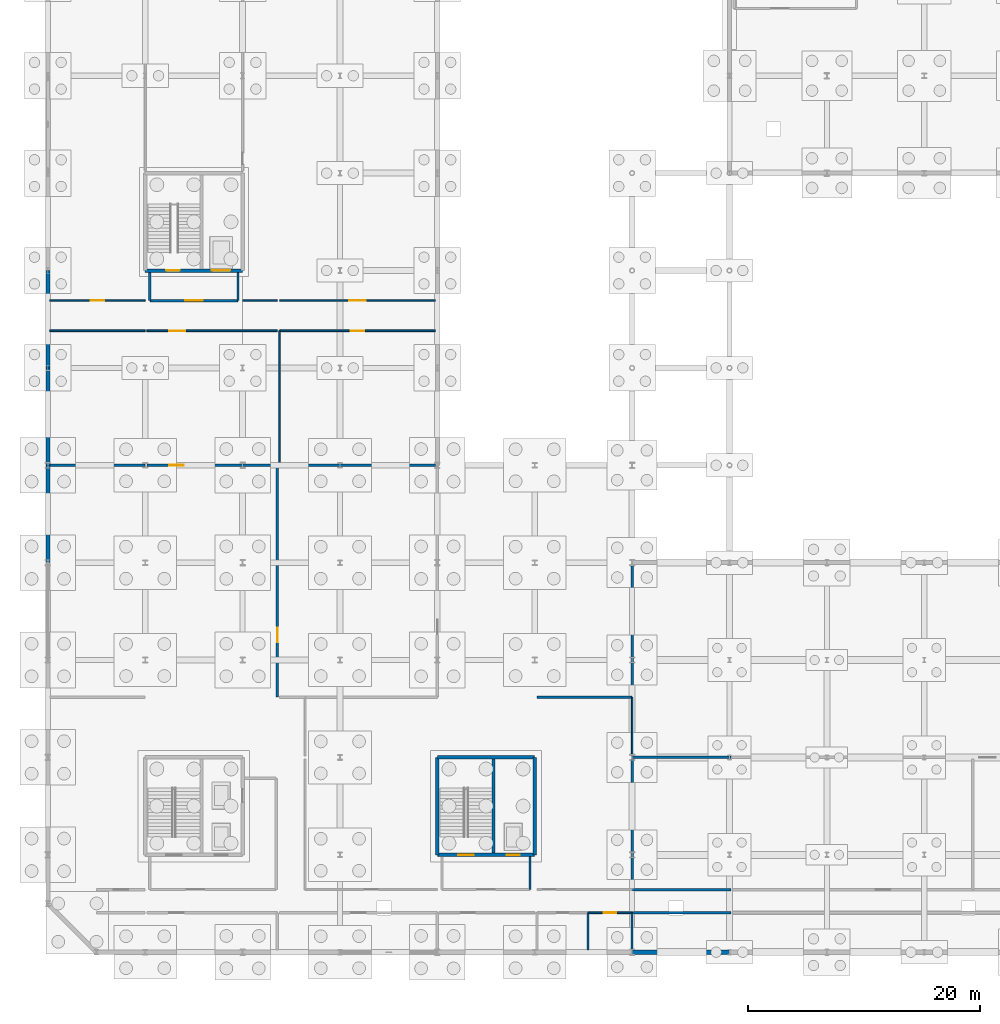
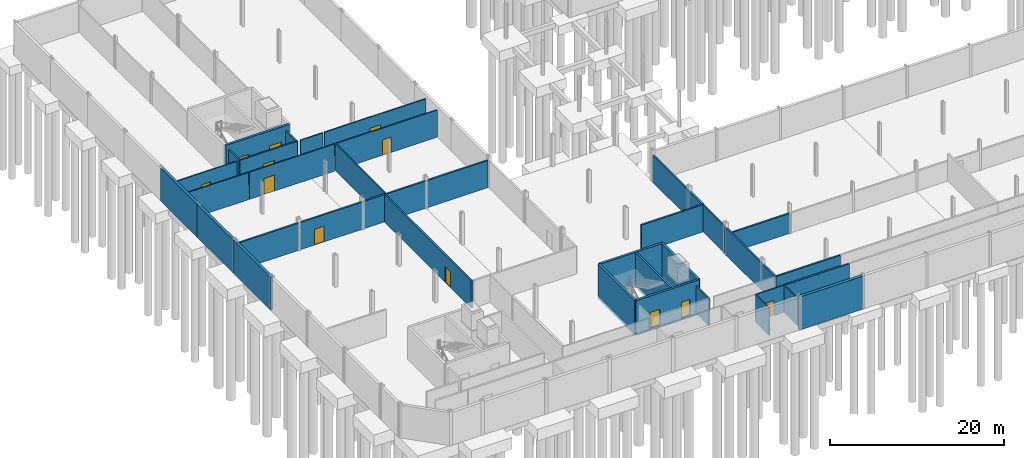
# One storey, part 32 of 51: 35 walls, 12 doors, 12 openings.
"""IFC4 building model written with IfcOpenShell, lengths in metres."""

from ifc_helpers import new_model, si_unit, direction, frame, frame_2d, origin, place, context, subcontext, project, spatial, rectangle, extrude, material, layer, layer_set, type_object, element, fill, save


model = new_model("IFC4")

# Units and contexts
model_context = context("Model", 3, precision=1e-05, world=origin(), true_north=direction((0.0, 1.0)))
body_context = subcontext(model_context, "Body", "Model", "MODEL_VIEW")
ifc_project = project(units=[si_unit("LENGTHUNIT", "METRE"), si_unit("AREAUNIT", "SQUARE_METRE"), si_unit("VOLUMEUNIT", "CUBIC_METRE"), si_unit("PLANEANGLEUNIT", "RADIAN"), si_unit("MASSUNIT", "GRAM", prefix="KILO")], contexts=[model_context])

# Site, building, storey
site_placement = place(None, origin())
site = spatial("IfcSite", under=ifc_project, at=site_placement, CompositionType="ELEMENT")
building_placement = place(site_placement, origin())
building = spatial("IfcBuilding", under=site, at=building_placement, Name="Qalvenar Corner Mobility Hub", CompositionType="ELEMENT")
storey_placement = place(building_placement, frame((0.0, 0.0, -4.5)))
storey = spatial("IfcBuildingStorey", under=building, at=storey_placement, Name="B1", CompositionType="ELEMENT", Elevation=-4.5)

# Wall
ifc_material_1 = material(Name="Concrete C40/50", Category="concrete")
ifc_layer_1 = layer(ifc_material_1, 0.25)
ifc_layer_set_1 = layer_set([ifc_layer_1], Name="Concrete C40/50")
wall_type_1 = type_object("IfcWallType", Name="WL-CORE250", PredefinedType="SHEAR", material=ifc_layer_set_1)
wall_1_placement = place(storey_placement, frame((38.449951171875, 8.550048828125, -0.35009765625), z_axis=(0.0, 0.0, 1.0), x_axis=(0.0, 1.0, 0.0)))
element("IfcWall", 1, at=wall_1_placement, inside=storey, type_object=wall_type_1, Name="Core Divider Wall C2-B1", PredefinedType="SHEAR", context=body_context, shape_type="SweptSolid", body=[
    extrude(rectangle(XDim=8.099853515625, YDim=0.25, at=frame_2d((4.0498046875, 0.0))), origin(), (0.0, 0.0, 1.0), 4.85009765625),
])

# Wall, openings, doors
ifc_layer_2 = layer(ifc_material_1, 0.300048828125)
ifc_layer_set_2 = layer_set([ifc_layer_2], Name="Concrete C40/50")
wall_type_2 = type_object("IfcWallType", Name="WL-CORE300", PredefinedType="SHEAR", material=ifc_layer_set_2)
wall_2_placement = place(storey_placement, frame((33.60009765625, 8.39990234375, -0.35009765625), z_axis=(0.0, 0.0, 1.0), x_axis=(1.0, 0.0, 0.0)))
wall_2 = element("IfcWall", 2, at=wall_2_placement, inside=storey, type_object=wall_type_2, Name="Core Shear Wall C2-B1-S", PredefinedType="SHEAR", context=body_context, shape_type="SweptSolid", body=[
    extrude(rectangle(XDim=8.39990234375, YDim=0.300048828125, at=frame_2d((4.199951171875, 0.0))), origin(), (0.0, 0.0, 1.0), 4.85009765625),
])
opening_1_placement = place(wall_2_placement, frame((1.800048828125, 0.0, 0.35009765625)))
opening_1 = element("IfcOpeningElement", 3, at=opening_1_placement, cuts=wall_2, Name="Opening DR-005", PredefinedType="OPENING", context=body_context, shape_type="SweptSolid", body=[
    extrude(rectangle(XDim=1.35009765625, YDim=2.199951171875, at=frame_2d((0.675048828125, 1.10009765625))), frame((0.0, 0.16015625, 0.0), z_axis=(0.0, -1.0, 0.0), x_axis=(1.0, 0.0, 0.0)), (0.0, 0.0, 1.0), 0.320068359375),
])
opening_2_placement = place(wall_2_placement, frame((6.0, 0.0, 0.35009765625)))
opening_2 = element("IfcOpeningElement", 4, at=opening_2_placement, cuts=wall_2, Name="Opening DR-006", PredefinedType="OPENING", context=body_context, shape_type="SweptSolid", body=[
    extrude(rectangle(XDim=1.10009765625, YDim=2.199951171875, at=frame_2d((0.550048828125, 1.10009765625))), frame((0.0, 0.16015625, 0.0), z_axis=(0.0, -1.0, 0.0), x_axis=(1.0, 0.0, 0.0)), (0.0, 0.0, 1.0), 0.320068359375),
])
ifc_material_2 = material(Name="Stainless Steel Lift Landing Door", Category="steel")
door_type_1 = type_object("IfcDoorType", Name="DR-LIFT-110", OperationType="SLIDING_TO_LEFT", PredefinedType="DOOR", material=ifc_material_2)
door_1_placement = place(opening_2_placement, origin())
door_1 = element("IfcDoor", 5, at=door_1_placement, inside=storey, type_object=door_type_1, Name="DR-006 Lift Landing Door LF2-B1", OperationType="SLIDING_TO_LEFT", OverallHeight=2.199951171875, OverallWidth=1.10009765625, PredefinedType="DOOR", context=body_context, shape_type="SweptSolid", body=[
    extrude(rectangle(XDim=1.10009765625, YDim=2.199951171875, at=frame_2d((0.550048828125, 1.10009765625))), frame((0.0, 0.02490234375, 0.0), z_axis=(0.0, -1.0, 0.0), x_axis=(1.0, 0.0, 0.0)), (0.0, 0.0, 1.0), 0.050048828125),
])
fill(opening_2, door_1)
ifc_material_3 = material(Name="Fire-Rated Steel Stair Door FD90", Category="steel")
door_type_2 = type_object("IfcDoorType", Name="DR-STAIR-135", OperationType="NOTDEFINED", PredefinedType="DOOR", material=ifc_material_3)
door_2_placement = place(opening_1_placement, origin())
door_2 = element("IfcDoor", 6, at=door_2_placement, inside=storey, type_object=door_type_2, Name="DR-005 Stair Fire Door ST2-B1", OperationType="SINGLE_SWING_RIGHT", OverallHeight=2.199951171875, OverallWidth=1.35009765625, PredefinedType="DOOR", context=body_context, shape_type="SweptSolid", body=[
    extrude(rectangle(XDim=1.35009765625, YDim=2.199951171875, at=frame_2d((0.675048828125, 1.10009765625))), frame((0.0, 0.02490234375, 0.0), z_axis=(0.0, -1.0, 0.0), x_axis=(1.0, 0.0, 0.0)), (0.0, 0.0, 1.0), 0.050048828125),
])
fill(opening_1, door_2)

# Walls
wall_3_placement = place(storey_placement, frame((42.0, 8.39990234375, -0.35009765625), z_axis=(0.0, 0.0, 1.0), x_axis=(0.0, 1.0, 0.0)))
element("IfcWall", 7, at=wall_3_placement, inside=storey, type_object=wall_type_2, Name="Core Shear Wall C2-B1-E", PredefinedType="SHEAR", context=body_context, shape_type="SweptSolid", body=[
    extrude(rectangle(XDim=8.400146484375, YDim=0.300048828125, at=frame_2d((4.2001953125, 0.0))), origin(), (0.0, 0.0, 1.0), 4.85009765625),
])
wall_4_placement = place(storey_placement, frame((42.0, 16.800048828125, -0.35009765625), z_axis=(0.0, 0.0, 1.0), x_axis=(-1.0, 0.0, 0.0)))
element("IfcWall", 8, at=wall_4_placement, inside=storey, type_object=wall_type_2, Name="Core Shear Wall C2-B1-N", PredefinedType="SHEAR", context=body_context, shape_type="SweptSolid", body=[
    extrude(rectangle(XDim=8.39990234375, YDim=0.300048828125, at=frame_2d((4.199951171875, 0.0))), origin(), (0.0, 0.0, 1.0), 4.85009765625),
])
wall_5_placement = place(storey_placement, frame((33.60009765625, 16.800048828125, -0.35009765625), z_axis=(0.0, 0.0, 1.0), x_axis=(0.0, -1.0, 0.0)))
element("IfcWall", 9, at=wall_5_placement, inside=storey, type_object=wall_type_2, Name="Core Shear Wall C2-B1-W", PredefinedType="SHEAR", context=body_context, shape_type="SweptSolid", body=[
    extrude(rectangle(XDim=8.400146484375, YDim=0.300048828125, at=frame_2d((4.2001953125, 0.0))), origin(), (0.0, 0.0, 1.0), 4.85009765625),
])

# Wall, openings, doors
wall_6_placement = place(storey_placement, frame((8.39990234375, 58.800048828125, -0.35009765625), z_axis=(0.0, 0.0, 1.0), x_axis=(1.0, 0.0, 0.0)))
wall_6 = element("IfcWall", 10, at=wall_6_placement, inside=storey, type_object=wall_type_2, Name="Core Shear Wall C5-B1-S", PredefinedType="SHEAR", context=body_context, shape_type="SweptSolid", body=[
    extrude(rectangle(XDim=8.400146484375, YDim=0.300048828125, at=frame_2d((4.2001953125, 0.0))), origin(), (0.0, 0.0, 1.0), 4.85009765625),
])
opening_3_placement = place(wall_6_placement, frame((1.800048828125, 0.0, 0.35009765625)))
opening_3 = element("IfcOpeningElement", 11, at=opening_3_placement, cuts=wall_6, Name="Opening DR-015", PredefinedType="OPENING", context=body_context, shape_type="SweptSolid", body=[
    extrude(rectangle(XDim=1.199951171875, YDim=2.199951171875, at=frame_2d((0.60009765625, 1.10009765625))), frame((0.0, 0.16015625, 0.0), z_axis=(0.0, -1.0, 0.0), x_axis=(1.0, 0.0, 0.0)), (0.0, 0.0, 1.0), 0.320068359375),
])
opening_4_placement = place(wall_6_placement, frame((5.75, 0.0, 0.35009765625)))
opening_4 = element("IfcOpeningElement", 12, at=opening_4_placement, cuts=wall_6, Name="Opening DR-016", PredefinedType="OPENING", context=body_context, shape_type="SweptSolid", body=[
    extrude(rectangle(XDim=1.60009765625, YDim=2.39990234375, at=frame_2d((0.800048828125, 1.199951171875))), frame((0.0, 0.16015625, 0.0), z_axis=(0.0, -1.0, 0.0), x_axis=(1.0, 0.0, 0.0)), (0.0, 0.0, 1.0), 0.320068359375),
])
ifc_material_4 = material(Name="Stainless Steel Goods Lift Landing Door", Category="steel")
door_type_3 = type_object("IfcDoorType", Name="DR-LIFT-160", OperationType="SLIDING_TO_LEFT", PredefinedType="DOOR", material=ifc_material_4)
door_3_placement = place(opening_4_placement, origin())
door_3 = element("IfcDoor", 13, at=door_3_placement, inside=storey, type_object=door_type_3, Name="DR-016 Lift Landing Door LG1-B1", OperationType="SLIDING_TO_LEFT", OverallHeight=2.39990234375, OverallWidth=1.60009765625, PredefinedType="DOOR", context=body_context, shape_type="SweptSolid", body=[
    extrude(rectangle(XDim=1.60009765625, YDim=2.39990234375, at=frame_2d((0.800048828125, 1.199951171875))), frame((0.0, 0.02490234375, 0.0), z_axis=(0.0, -1.0, 0.0), x_axis=(1.0, 0.0, 0.0)), (0.0, 0.0, 1.0), 0.050048828125),
])
fill(opening_4, door_3)
door_type_4 = type_object("IfcDoorType", Name="DR-STAIR-120", OperationType="NOTDEFINED", PredefinedType="DOOR", material=ifc_material_3)
door_4_placement = place(opening_3_placement, origin())
door_4 = element("IfcDoor", 14, at=door_4_placement, inside=storey, type_object=door_type_4, Name="DR-015 Stair Fire Door ST5-B1", OperationType="SINGLE_SWING_LEFT", OverallHeight=2.199951171875, OverallWidth=1.199951171875, PredefinedType="DOOR", context=body_context, shape_type="SweptSolid", body=[
    extrude(rectangle(XDim=1.199951171875, YDim=2.199951171875, at=frame_2d((0.60009765625, 1.10009765625))), frame((0.0, 0.02490234375, 0.0), z_axis=(0.0, -1.0, 0.0), x_axis=(1.0, 0.0, 0.0)), (0.0, 0.0, 1.0), 0.050048828125),
])
fill(opening_3, door_4)

# Walls
ifc_material_5 = material(Name="Concrete Blockwork Masonry", Category="masonry")
ifc_layer_3 = layer(ifc_material_5, 0.219970703125)
ifc_layer_set_3 = layer_set([ifc_layer_3], Name="Concrete Blockwork Masonry")
wall_type_3 = type_object("IfcWallType", Name="WL-FIRE220", PredefinedType="PARTITIONING", material=ifc_layer_set_3)
wall_7_placement = place(storey_placement, frame((50.39990234375, 3.39990234375, 0.0), z_axis=(0.0, 0.0, 1.0), x_axis=(1.0, 0.0, 0.0)))
element("IfcWall", 15, at=wall_7_placement, inside=storey, type_object=wall_type_3, Name="Interior Partition PRT-B1-007", PredefinedType="PARTITIONING", context=body_context, shape_type="SweptSolid", body=[
    extrude(rectangle(XDim=8.550048828125, YDim=0.219970703125, at=frame_2d((4.27490234375, 0.0))), origin(), (0.0, 0.0, 1.0), 3.800048828125),
])
wall_8_placement = place(storey_placement, frame((50.39990234375, 5.39990234375, 0.0), z_axis=(0.0, 0.0, 1.0), x_axis=(1.0, 0.0, 0.0)))
element("IfcWall", 16, at=wall_8_placement, inside=storey, type_object=wall_type_3, Name="Interior Partition PRT-B1-012", PredefinedType="PARTITIONING", context=body_context, shape_type="SweptSolid", body=[
    extrude(rectangle(XDim=8.550048828125, YDim=0.219970703125, at=frame_2d((4.27490234375, 0.0))), origin(), (0.0, 0.0, 1.0), 3.7900390625),
])
wall_9_placement = place(storey_placement, frame((50.39990234375, 16.800048828125, 0.0), z_axis=(0.0, 0.0, 1.0), x_axis=(1.0, 0.0, 0.0)))
element("IfcWall", 17, at=wall_9_placement, inside=storey, type_object=wall_type_3, Name="Interior Partition PRT-B1-020", PredefinedType="PARTITIONING", context=body_context, shape_type="SweptSolid", body=[
    extrude(rectangle(XDim=8.550048828125, YDim=0.219970703125, at=frame_2d((4.27490234375, 0.0))), origin(), (0.0, 0.0, 1.0), 2.77001953125),
])
wall_10_placement = place(storey_placement, frame((42.199951171875, 22.0, 0.0), z_axis=(0.0, 0.0, 1.0), x_axis=(1.0, 0.0, 0.0)))
element("IfcWall", 18, at=wall_10_placement, inside=storey, type_object=wall_type_3, Name="Interior Partition PRT-B1-026", PredefinedType="PARTITIONING", context=body_context, shape_type="SweptSolid", body=[
    extrude(rectangle(XDim=8.199951171875, YDim=0.219970703125, at=frame_2d((4.10009765625, 0.0))), origin(), (0.0, 0.0, 1.0), 3.800048828125),
])
wall_11_placement = place(storey_placement, frame((0.179931640625, 42.0, 0.0), z_axis=(0.0, 0.0, 1.0), x_axis=(1.0, 0.0, 0.0)))
element("IfcWall", 19, at=wall_11_placement, inside=storey, type_object=wall_type_3, Name="Interior Partition PRT-B1-027", PredefinedType="PARTITIONING", context=body_context, shape_type="SweptSolid", body=[
    extrude(rectangle(XDim=8.219970703125, YDim=0.219970703125, at=frame_2d((4.10986328125, 0.0))), origin(), (0.0, 0.0, 1.0), 3.800048828125),
])

# Wall, opening, door
wall_12_placement = place(storey_placement, frame((8.550048828125, 42.0, 0.0), z_axis=(0.0, 0.0, 1.0), x_axis=(1.0, 0.0, 0.0)))
wall_12 = element("IfcWall", 20, at=wall_12_placement, inside=storey, type_object=wall_type_3, Name="Interior Partition PRT-B1-028", PredefinedType="PARTITIONING", context=body_context, shape_type="SweptSolid", body=[
    extrude(rectangle(XDim=11.25, YDim=0.219970703125, at=frame_2d((5.625, 0.0))), origin(), (0.0, 0.0, 1.0), 3.800048828125),
])
opening_5_placement = place(wall_12_placement, frame((1.919921875, 0.0, 0.0)))
opening_5 = element("IfcOpeningElement", 21, at=opening_5_placement, cuts=wall_12, Name="Opening DR-037", PredefinedType="OPENING", context=body_context, shape_type="SweptSolid", body=[
    extrude(rectangle(XDim=1.25, YDim=2.199951171875, at=frame_2d((0.625, 1.10009765625))), frame((0.0, 0.1201171875, 0.0), z_axis=(0.0, -1.0, 0.0), x_axis=(1.0, 0.0, 0.0)), (0.0, 0.0, 1.0), 0.239990234375),
])
ifc_material_6 = material(Name="Acoustic Steel Plant Room Door FD60", Category="steel")
door_type_5 = type_object("IfcDoorType", Name="DR-INT-PLT125", OperationType="NOTDEFINED", PredefinedType="DOOR", material=ifc_material_6)
door_5_placement = place(opening_5_placement, origin())
door_5 = element("IfcDoor", 22, at=door_5_placement, inside=storey, type_object=door_type_5, Name="DR-037 Monsoon Rainwater Harvesting Tank Room Door", OperationType="SINGLE_SWING_RIGHT", OverallHeight=2.199951171875, OverallWidth=1.25, PredefinedType="DOOR", context=body_context, shape_type="SweptSolid", body=[
    extrude(rectangle(XDim=1.25, YDim=2.199951171875, at=frame_2d((0.625, 1.10009765625))), frame((0.0, 0.02490234375, 0.0), z_axis=(0.0, -1.0, 0.0), x_axis=(1.0, 0.0, 0.0)), (0.0, 0.0, 1.0), 0.050048828125),
])
fill(opening_5, door_5)

# Wall
wall_13_placement = place(storey_placement, frame((20.0, 42.0, 0.0), z_axis=(0.0, 0.0, 1.0), x_axis=(1.0, 0.0, 0.0)))
element("IfcWall", 23, at=wall_13_placement, inside=storey, type_object=wall_type_3, Name="Interior Partition PRT-B1-029", PredefinedType="PARTITIONING", context=body_context, shape_type="SweptSolid", body=[
    extrude(rectangle(XDim=13.419921875, YDim=0.219970703125, at=frame_2d((6.7099609375, 0.0))), origin(), (0.0, 0.0, 1.0), 3.800048828125),
])

# Wall, opening, door
wall_14_placement = place(storey_placement, frame((19.800048828125, 22.0, 0.0), z_axis=(0.0, 0.0, 1.0), x_axis=(0.0, 1.0, 0.0)))
wall_14 = element("IfcWall", 24, at=wall_14_placement, inside=storey, type_object=wall_type_3, Name="Interior Partition PRT-B1-039", PredefinedType="PARTITIONING", context=body_context, shape_type="SweptSolid", body=[
    extrude(rectangle(XDim=20.0, YDim=0.219970703125, at=frame_2d((10.0, 0.0))), origin(), (0.0, 0.0, 1.0), 3.800048828125),
])
opening_6_placement = place(wall_14_placement, frame((4.719970703125, 0.0, 0.0)))
opening_6 = element("IfcOpeningElement", 25, at=opening_6_placement, cuts=wall_14, Name="Opening DR-043", PredefinedType="OPENING", context=body_context, shape_type="SweptSolid", body=[
    extrude(rectangle(XDim=1.25, YDim=2.199951171875, at=frame_2d((0.625, 1.10009765625))), frame((0.0, 0.1201171875, 0.0), z_axis=(0.0, -1.0, 0.0), x_axis=(1.0, 0.0, 0.0)), (0.0, 0.0, 1.0), 0.239990234375),
])
door_6_placement = place(opening_6_placement, origin())
door_6 = element("IfcDoor", 26, at=door_6_placement, inside=storey, type_object=door_type_5, Name="DR-043 Fire Reserve Water Tank and Pump Room Door", OperationType="SINGLE_SWING_LEFT", OverallHeight=2.199951171875, OverallWidth=1.25, PredefinedType="DOOR", context=body_context, shape_type="SweptSolid", body=[
    extrude(rectangle(XDim=1.25, YDim=2.199951171875, at=frame_2d((0.625, 1.10009765625))), frame((0.0, 0.02490234375, 0.0), z_axis=(0.0, -1.0, 0.0), x_axis=(1.0, 0.0, 0.0)), (0.0, 0.0, 1.0), 0.050048828125),
])
fill(opening_6, door_6)

# Walls
wall_15_placement = place(storey_placement, frame((50.39990234375, 5.39990234375, 0.0), z_axis=(0.0, 0.0, 1.0), x_axis=(0.0, 1.0, 0.0)))
element("IfcWall", 27, at=wall_15_placement, inside=storey, type_object=wall_type_3, Name="Interior Partition PRT-B1-048", PredefinedType="PARTITIONING", context=body_context, shape_type="SweptSolid", body=[
    extrude(rectangle(XDim=11.25, YDim=0.219970703125, at=frame_2d((5.625, 0.0))), origin(), (0.0, 0.0, 1.0), 3.800048828125),
])
wall_16_placement = place(storey_placement, frame((50.39990234375, 22.0, 0.0), z_axis=(0.0, 0.0, 1.0), x_axis=(0.0, 1.0, 0.0)))
element("IfcWall", 28, at=wall_16_placement, inside=storey, type_object=wall_type_3, Name="Interior Partition PRT-B1-050", PredefinedType="PARTITIONING", context=body_context, shape_type="SweptSolid", body=[
    extrude(rectangle(XDim=11.419921875, YDim=0.219970703125, at=frame_2d((5.7099609375, 0.0))), origin(), (0.0, 0.0, 1.0), 3.800048828125),
])
ifc_material_7 = material(Name="Acoustic Gypsum Stud Partition", Category="masonry")
ifc_layer_4 = layer(ifc_material_7, 0.139892578125)
ifc_layer_set_4 = layer_set([ifc_layer_4], Name="Acoustic Gypsum Stud Partition")
wall_type_4 = type_object("IfcWallType", Name="WL-INT140", PredefinedType="PARTITIONING", material=ifc_layer_set_4)
wall_17_placement = place(storey_placement, frame((0.179931640625, 53.60009765625, 0.0), z_axis=(0.0, 0.0, 1.0), x_axis=(1.0, 0.0, 0.0)))
element("IfcWall", 29, at=wall_17_placement, inside=storey, type_object=wall_type_4, Name="Interior Partition PRT-B1-030", PredefinedType="PARTITIONING", context=body_context, shape_type="SweptSolid", body=[
    extrude(rectangle(XDim=8.219970703125, YDim=0.139892578125, at=frame_2d((4.10986328125, 0.0))), origin(), (0.0, 0.0, 1.0), 3.800048828125),
])

# Wall, opening, door
wall_18_placement = place(storey_placement, frame((8.550048828125, 53.60009765625, 0.0), z_axis=(0.0, 0.0, 1.0), x_axis=(1.0, 0.0, 0.0)))
wall_18 = element("IfcWall", 30, at=wall_18_placement, inside=storey, type_object=wall_type_4, Name="Interior Partition PRT-B1-031", PredefinedType="PARTITIONING", context=body_context, shape_type="SweptSolid", body=[
    extrude(rectangle(XDim=11.25, YDim=0.139892578125, at=frame_2d((5.625, 0.0))), origin(), (0.0, 0.0, 1.0), 3.800048828125),
])
opening_7_placement = place(wall_18_placement, frame((1.919921875, 0.0, 0.0)))
opening_7 = element("IfcOpeningElement", 31, at=opening_7_placement, cuts=wall_18, Name="Opening DR-038", PredefinedType="OPENING", context=body_context, shape_type="SweptSolid", body=[
    extrude(rectangle(XDim=1.39990234375, YDim=2.25, at=frame_2d((0.699951171875, 1.125))), frame((0.0, 0.080078125, 0.0), z_axis=(0.0, -1.0, 0.0), x_axis=(1.0, 0.0, 0.0)), (0.0, 0.0, 1.0), 0.159912109375),
])
ifc_material_8 = material(Name="Hardwood Teak Acoustic Double Door", Category="wood")
door_type_6 = type_object("IfcDoorType", Name="DR-INT-PUB140", OperationType="DOUBLE_DOOR_SINGLE_SWING", PredefinedType="DOOR", material=ifc_material_8)
door_7_placement = place(opening_7_placement, origin())
door_7 = element("IfcDoor", 32, at=door_7_placement, inside=storey, type_object=door_type_6, Name="DR-038 Commuter Season Bicycle Bay Door", OperationType="DOUBLE_DOOR_SINGLE_SWING", OverallHeight=2.25, OverallWidth=1.39990234375, PredefinedType="DOOR", context=body_context, shape_type="SweptSolid", body=[
    extrude(rectangle(XDim=1.39990234375, YDim=2.25, at=frame_2d((0.699951171875, 1.125))), frame((0.0, 0.02490234375, 0.0), z_axis=(0.0, -1.0, 0.0), x_axis=(1.0, 0.0, 0.0)), (0.0, 0.0, 1.0), 0.050048828125),
])
fill(opening_7, door_7)

wall_19_placement = place(storey_placement, frame((20.0, 53.60009765625, 0.0), z_axis=(0.0, 0.0, 1.0), x_axis=(1.0, 0.0, 0.0)))
wall_19 = element("IfcWall", 33, at=wall_19_placement, inside=storey, type_object=wall_type_4, Name="Interior Partition PRT-B1-032", PredefinedType="PARTITIONING", context=body_context, shape_type="SweptSolid", body=[
    extrude(rectangle(XDim=13.419921875, YDim=0.139892578125, at=frame_2d((6.7099609375, 0.0))), origin(), (0.0, 0.0, 1.0), 3.800048828125),
])
opening_8_placement = place(wall_19_placement, frame((6.135009765625, 0.0, 0.0)))
opening_8 = element("IfcOpeningElement", 34, at=opening_8_placement, cuts=wall_19, Name="Opening DR-039", PredefinedType="OPENING", context=body_context, shape_type="SweptSolid", body=[
    extrude(rectangle(XDim=1.14990234375, YDim=2.14990234375, at=frame_2d((0.574951171875, 1.074951171875))), frame((0.0, 0.080078125, 0.0), z_axis=(0.0, -1.0, 0.0), x_axis=(1.0, 0.0, 0.0)), (0.0, 0.0, 1.0), 0.159912109375),
])
ifc_material_9 = material(Name="Steel Parts Store Door FD60", Category="steel")
door_type_7 = type_object("IfcDoorType", Name="DR-INT-STR115", OperationType="NOTDEFINED", PredefinedType="DOOR", material=ifc_material_9)
door_8_placement = place(opening_8_placement, origin())
door_8 = element("IfcDoor", 35, at=door_8_placement, inside=storey, type_object=door_type_7, Name="DR-039 Cycle Maintenance Parts Store Door", OperationType="SINGLE_SWING_RIGHT", OverallHeight=2.14990234375, OverallWidth=1.14990234375, PredefinedType="DOOR", context=body_context, shape_type="SweptSolid", body=[
    extrude(rectangle(XDim=1.14990234375, YDim=2.14990234375, at=frame_2d((0.574951171875, 1.074951171875))), frame((0.0, 0.02490234375, 0.0), z_axis=(0.0, -1.0, 0.0), x_axis=(1.0, 0.0, 0.0)), (0.0, 0.0, 1.0), 0.050048828125),
])
fill(opening_8, door_8)

wall_20_placement = place(storey_placement, frame((0.179931640625, 56.199951171875, 0.0), z_axis=(0.0, 0.0, 1.0), x_axis=(1.0, 0.0, 0.0)))
wall_20 = element("IfcWall", 36, at=wall_20_placement, inside=storey, type_object=wall_type_4, Name="Interior Partition PRT-B1-033", PredefinedType="PARTITIONING", context=body_context, shape_type="SweptSolid", body=[
    extrude(rectangle(XDim=8.219970703125, YDim=0.139892578125, at=frame_2d((4.10986328125, 0.0))), origin(), (0.0, 0.0, 1.0), 3.800048828125),
])
opening_9_placement = place(wall_20_placement, frame((3.534912109375, 0.0, 0.0)))
opening_9 = element("IfcOpeningElement", 37, at=opening_9_placement, cuts=wall_20, Name="Opening DR-040", PredefinedType="OPENING", context=body_context, shape_type="SweptSolid", body=[
    extrude(rectangle(XDim=1.14990234375, YDim=2.14990234375, at=frame_2d((0.574951171875, 1.074951171875))), frame((0.0, 0.080078125, 0.0), z_axis=(0.0, -1.0, 0.0), x_axis=(1.0, 0.0, 0.0)), (0.0, 0.0, 1.0), 0.159912109375),
])
door_9_placement = place(opening_9_placement, origin())
door_9 = element("IfcDoor", 38, at=door_9_placement, inside=storey, type_object=door_type_7, Name="DR-040 Long-Stay Bicycle Store Vault Door", OperationType="SINGLE_SWING_LEFT", OverallHeight=2.14990234375, OverallWidth=1.14990234375, PredefinedType="DOOR", context=body_context, shape_type="SweptSolid", body=[
    extrude(rectangle(XDim=1.14990234375, YDim=2.14990234375, at=frame_2d((0.574951171875, 1.074951171875))), frame((0.0, 0.02490234375, 0.0), z_axis=(0.0, -1.0, 0.0), x_axis=(1.0, 0.0, 0.0)), (0.0, 0.0, 1.0), 0.050048828125),
])
fill(opening_9, door_9)

# Wall
wall_21_placement = place(storey_placement, frame((16.800048828125, 56.199951171875, 0.0), z_axis=(0.0, 0.0, 1.0), x_axis=(1.0, 0.0, 0.0)))
element("IfcWall", 39, at=wall_21_placement, inside=storey, type_object=wall_type_4, Name="Interior Partition PRT-B1-034", PredefinedType="PARTITIONING", context=body_context, shape_type="SweptSolid", body=[
    extrude(rectangle(XDim=3.0, YDim=0.139892578125, at=frame_2d((1.5, 0.0))), origin(), (0.0, 0.0, 1.0), 3.800048828125),
])

# Wall, opening, door
wall_22_placement = place(storey_placement, frame((20.0, 56.199951171875, 0.0), z_axis=(0.0, 0.0, 1.0), x_axis=(1.0, 0.0, 0.0)))
wall_22 = element("IfcWall", 40, at=wall_22_placement, inside=storey, type_object=wall_type_4, Name="Interior Partition PRT-B1-035", PredefinedType="PARTITIONING", context=body_context, shape_type="SweptSolid", body=[
    extrude(rectangle(XDim=13.419921875, YDim=0.139892578125, at=frame_2d((6.7099609375, 0.0))), origin(), (0.0, 0.0, 1.0), 3.800048828125),
])
opening_10_placement = place(wall_22_placement, frame((6.010009765625, 0.0, 0.0)))
opening_10 = element("IfcOpeningElement", 41, at=opening_10_placement, cuts=wall_22, Name="Opening DR-041", PredefinedType="OPENING", context=body_context, shape_type="SweptSolid", body=[
    extrude(rectangle(XDim=1.39990234375, YDim=2.25, at=frame_2d((0.699951171875, 1.125))), frame((0.0, 0.080078125, 0.0), z_axis=(0.0, -1.0, 0.0), x_axis=(1.0, 0.0, 0.0)), (0.0, 0.0, 1.0), 0.159912109375),
])
door_10_placement = place(opening_10_placement, origin())
door_10 = element("IfcDoor", 42, at=door_10_placement, inside=storey, type_object=door_type_6, Name="DR-041 Cargo Bicycle Parking Bay Hall Door", OperationType="DOUBLE_DOOR_SINGLE_SWING", OverallHeight=2.25, OverallWidth=1.39990234375, PredefinedType="DOOR", context=body_context, shape_type="SweptSolid", body=[
    extrude(rectangle(XDim=1.39990234375, YDim=2.25, at=frame_2d((0.699951171875, 1.125))), frame((0.0, 0.02490234375, 0.0), z_axis=(0.0, -1.0, 0.0), x_axis=(1.0, 0.0, 0.0)), (0.0, 0.0, 1.0), 0.050048828125),
])
fill(opening_10, door_10)

# Walls
wall_23_placement = place(storey_placement, frame((20.0, 42.0, 0.0), z_axis=(0.0, 0.0, 1.0), x_axis=(0.0, 1.0, 0.0)))
element("IfcWall", 43, at=wall_23_placement, inside=storey, type_object=wall_type_4, Name="Interior Partition PRT-B1-040", PredefinedType="PARTITIONING", context=body_context, shape_type="SweptSolid", body=[
    extrude(rectangle(XDim=11.60009765625, YDim=0.139892578125, at=frame_2d((5.800048828125, 0.0))), origin(), (0.0, 0.0, 1.0), 3.800048828125),
])
wall_24_placement = place(storey_placement, frame((50.39990234375, 16.949951171875, 0.0), z_axis=(0.0, 0.0, 1.0), x_axis=(0.0, 1.0, 0.0)))
element("IfcWall", 44, at=wall_24_placement, inside=storey, type_object=wall_type_4, Name="Interior Partition PRT-B1-049", PredefinedType="PARTITIONING", context=body_context, shape_type="SweptSolid", body=[
    extrude(rectangle(XDim=5.050048828125, YDim=0.139892578125, at=frame_2d((2.52490234375, 0.0))), origin(), (0.0, 0.0, 1.0), 3.800048828125),
])
ifc_material_10 = material(Name="Concrete Blockwork Masonry", Category="masonry")
ifc_layer_5 = layer(ifc_material_10, 0.199951171875)
ifc_layer_set_5 = layer_set([ifc_layer_5], Name="Concrete Blockwork Masonry")
wall_type_5 = type_object("IfcWallType", Name="WL-LOBBY200", PredefinedType="PARTITIONING", material=ifc_layer_set_5)
wall_25_placement = place(storey_placement, frame((41.60009765625, 5.39990234375, 0.0), z_axis=(0.0, 0.0, 1.0), x_axis=(0.0, 1.0, 0.0)))
element("IfcWall", 45, at=wall_25_placement, inside=storey, type_object=wall_type_5, Name="Interior Partition WL-LOB-C2-B1-E", PredefinedType="PARTITIONING", context=body_context, shape_type="SweptSolid", body=[
    extrude(rectangle(XDim=2.85009765625, YDim=0.199951171875, at=frame_2d((1.425048828125, 0.0))), origin(), (0.0, 0.0, 1.0), 3.75),
])
wall_26_placement = place(storey_placement, frame((8.800048828125, 56.199951171875, 0.0), z_axis=(0.0, 0.0, 1.0), x_axis=(0.0, 1.0, 0.0)))
element("IfcWall", 46, at=wall_26_placement, inside=storey, type_object=wall_type_5, Name="Interior Partition WL-LOB-C5-B1-W", PredefinedType="PARTITIONING", context=body_context, shape_type="SweptSolid", body=[
    extrude(rectangle(XDim=2.449951171875, YDim=0.199951171875, at=frame_2d((1.22509765625, 0.0))), origin(), (0.0, 0.0, 1.0), 3.820068359375),
])
wall_27_placement = place(storey_placement, frame((16.39990234375, 56.199951171875, 0.0), z_axis=(0.0, 0.0, 1.0), x_axis=(0.0, 1.0, 0.0)))
element("IfcWall", 47, at=wall_27_placement, inside=storey, type_object=wall_type_5, Name="Interior Partition WL-LOB-C5-B1-E", PredefinedType="PARTITIONING", context=body_context, shape_type="SweptSolid", body=[
    extrude(rectangle(XDim=2.449951171875, YDim=0.199951171875, at=frame_2d((1.22509765625, 0.0))), origin(), (0.0, 0.0, 1.0), 3.760009765625),
])

# Wall, opening, door
wall_28_placement = place(storey_placement, frame((8.800048828125, 56.199951171875, 0.0), z_axis=(0.0, 0.0, 1.0), x_axis=(1.0, 0.0, 0.0)))
wall_28 = element("IfcWall", 48, at=wall_28_placement, inside=storey, type_object=wall_type_5, Name="Interior Partition WL-LOB-C5-B1-S", PredefinedType="PARTITIONING", context=body_context, shape_type="SweptSolid", body=[
    extrude(rectangle(XDim=7.599853515625, YDim=0.199951171875, at=frame_2d((3.7998046875, 0.0))), origin(), (0.0, 0.0, 1.0), 3.820068359375),
])
opening_11_placement = place(wall_28_placement, frame((3.050048828125, 0.0, 0.0)))
opening_11 = element("IfcOpeningElement", 49, at=opening_11_placement, cuts=wall_28, Name="Opening DR-017", PredefinedType="OPENING", context=body_context, shape_type="SweptSolid", body=[
    extrude(rectangle(XDim=1.5, YDim=2.199951171875, at=frame_2d((0.75, 1.10009765625))), frame((0.0, 0.10986328125, 0.0), z_axis=(0.0, -1.0, 0.0), x_axis=(1.0, 0.0, 0.0)), (0.0, 0.0, 1.0), 0.219970703125),
])
ifc_material_11 = material(Name="Firefighting Lobby Smoke-Control Door FD60", Category="steel")
door_type_8 = type_object("IfcDoorType", Name="DR-FFLOB-150", OperationType="DOUBLE_DOOR_SINGLE_SWING", PredefinedType="DOOR", material=ifc_material_11)
door_11_placement = place(opening_11_placement, origin())
door_11 = element("IfcDoor", 50, at=door_11_placement, inside=storey, type_object=door_type_8, Name="DR-017 Lift Lobby Smoke Door C5-B1", OperationType="DOUBLE_DOOR_SINGLE_SWING", OverallHeight=2.199951171875, OverallWidth=1.5, PredefinedType="DOOR", context=body_context, shape_type="SweptSolid", body=[
    extrude(rectangle(XDim=1.5, YDim=2.199951171875, at=frame_2d((0.75, 1.10009765625))), frame((0.0, 0.02490234375, 0.0), z_axis=(0.0, -1.0, 0.0), x_axis=(1.0, 0.0, 0.0)), (0.0, 0.0, 1.0), 0.050048828125),
])
fill(opening_11, door_11)

# Walls
ifc_layer_6 = layer(ifc_material_1, 0.35009765625)
ifc_layer_set_6 = layer_set([ifc_layer_6], Name="Concrete C40/50")
wall_type_6 = type_object("IfcWallType", Name="WL-RET350", PredefinedType="SOLIDWALL", material=ifc_layer_set_6)
for number, where, z_axis, x_axis, name in (
    (51, (0.0, 42.0, -0.35009765625), (0.0, 0.0, 1.0), (0.0, -1.0, 0.0), "Basement Retaining Wall BW-044"),
    (52, (0.0, 50.39990234375, -0.35009765625), (0.0, 0.0, 1.0), (0.0, -1.0, 0.0), "Basement Retaining Wall BW-045"),
):
    element("IfcWall", number, at=place(storey_placement, frame(where, z_axis=z_axis, x_axis=x_axis)), inside=storey, type_object=wall_type_6, Name=name, PredefinedType="SOLIDWALL", context=body_context, shape_type="SweptSolid", body=[
        extrude(rectangle(XDim=8.39990234375, YDim=0.35009765625, at=frame_2d((4.199951171875, 0.0))), origin(), (0.0, 0.0, 1.0), 4.60009765625),
    ])
wall_29_placement = place(storey_placement, frame((0.0, 58.800048828125, -0.35009765625), z_axis=(0.0, 0.0, 1.0), x_axis=(0.0, -1.0, 0.0)))
element("IfcWall", 53, at=wall_29_placement, inside=storey, type_object=wall_type_6, Name="Basement Retaining Wall BW-046", PredefinedType="SOLIDWALL", context=body_context, shape_type="SweptSolid", body=[
    extrude(rectangle(XDim=8.400146484375, YDim=0.35009765625, at=frame_2d((4.2001953125, 0.0))), origin(), (0.0, 0.0, 1.0), 4.60009765625),
])
ifc_layer_7 = layer(ifc_material_1, 0.39990234375)
ifc_layer_set_7 = layer_set([ifc_layer_7], Name="Concrete C40/50")
wall_type_7 = type_object("IfcWallType", Name="WL-RET400", PredefinedType="SOLIDWALL", material=ifc_layer_set_7)
wall_30_placement = place(storey_placement, frame((50.39990234375, 0.0, -0.35009765625), z_axis=(0.0, 0.0, 1.0), x_axis=(1.0, 0.0, 0.0)))
element("IfcWall", 54, at=wall_30_placement, inside=storey, type_object=wall_type_7, Name="Basement Retaining Wall BW-007", PredefinedType="SOLIDWALL", context=body_context, shape_type="SweptSolid", body=[
    extrude(rectangle(XDim=8.400146484375, YDim=0.39990234375, at=frame_2d((4.2001953125, 0.0))), origin(), (0.0, 0.0, 1.0), 4.60009765625),
])

# Wall, opening, door
ifc_material_12 = material(Name="Ceramic-Tiled Moisture-Resistant Partition", Category="masonry")
ifc_layer_8 = layer(ifc_material_12, 0.14990234375)
ifc_layer_set_8 = layer_set([ifc_layer_8], Name="Ceramic-Tiled Moisture-Resistant Partition")
wall_type_8 = type_object("IfcWallType", Name="WL-WET150", PredefinedType="PARTITIONING", material=ifc_layer_set_8)
wall_31_placement = place(storey_placement, frame((46.60009765625, 3.39990234375, 0.0), z_axis=(0.0, 0.0, 1.0), x_axis=(1.0, 0.0, 0.0)))
wall_31 = element("IfcWall", 55, at=wall_31_placement, inside=storey, type_object=wall_type_8, Name="Interior Partition PRT-B1-006", PredefinedType="PARTITIONING", context=body_context, shape_type="SweptSolid", body=[
    extrude(rectangle(XDim=3.7998046875, YDim=0.14990234375, at=frame_2d((1.89990234375, 0.0))), origin(), (0.0, 0.0, 1.0), 3.800048828125),
])
opening_12_placement = place(wall_31_placement, frame((1.375, 0.0, 0.0)))
opening_12 = element("IfcOpeningElement", 56, at=opening_12_placement, cuts=wall_31, Name="Opening DR-025", PredefinedType="OPENING", context=body_context, shape_type="SweptSolid", body=[
    extrude(rectangle(XDim=1.050048828125, YDim=2.14990234375, at=frame_2d((0.52490234375, 1.074951171875))), frame((0.0, 0.0849609375, 0.0), z_axis=(0.0, -1.0, 0.0), x_axis=(1.0, 0.0, 0.0)), (0.0, 0.0, 1.0), 0.169921875),
])
ifc_material_13 = material(Name="Accessible Wheelchair WC Door", Category="wood")
door_type_9 = type_object("IfcDoorType", Name="DR-INT-AWC105", OperationType="NOTDEFINED", PredefinedType="DOOR", material=ifc_material_13)
door_12_placement = place(opening_12_placement, origin())
door_12 = element("IfcDoor", 57, at=door_12_placement, inside=storey, type_object=door_type_9, Name="DR-025 Basement Accessible WC Door", OperationType="SINGLE_SWING_RIGHT", OverallHeight=2.14990234375, OverallWidth=1.050048828125, PredefinedType="DOOR", context=body_context, shape_type="SweptSolid", body=[
    extrude(rectangle(XDim=1.050048828125, YDim=2.14990234375, at=frame_2d((0.52490234375, 1.074951171875))), frame((0.0, 0.02490234375, 0.0), z_axis=(0.0, -1.0, 0.0), x_axis=(1.0, 0.0, 0.0)), (0.0, 0.0, 1.0), 0.050048828125),
])
fill(opening_12, door_12)

# Walls
for number, where, z_axis, x_axis, name in (
    (58, (46.60009765625, 0.205078125, 0.0), (0.0, 0.0, 1.0), (0.0, 1.0, 0.0), "Interior Partition PRT-B1-046"),
    (59, (50.39990234375, 0.205078125, 0.0), (0.0, 0.0, 1.0), (0.0, 1.0, 0.0), "Interior Partition PRT-B1-047"),
):
    element("IfcWall", number, at=place(storey_placement, frame(where, z_axis=z_axis, x_axis=x_axis)), inside=storey, type_object=wall_type_8, Name=name, PredefinedType="PARTITIONING", context=body_context, shape_type="SweptSolid", body=[
        extrude(rectangle(XDim=3.19482421875, YDim=0.14990234375, at=frame_2d((1.597412109375, 0.0))), origin(), (0.0, 0.0, 1.0), 3.800048828125),
    ])

save(model, "model.ifc")
